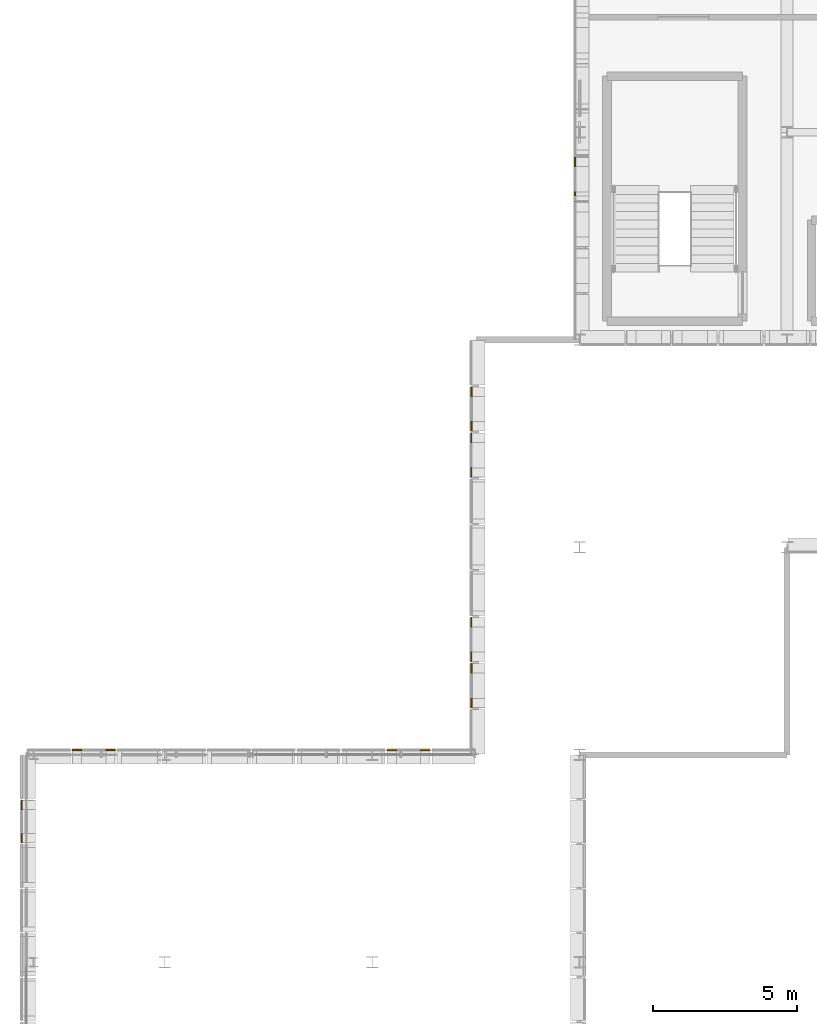
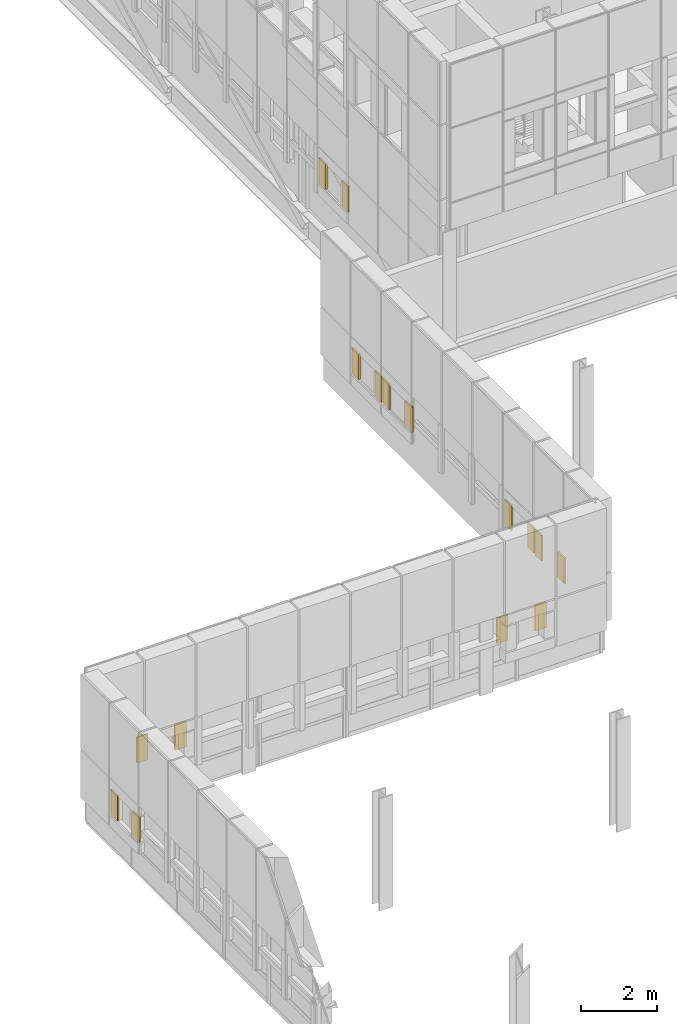
# One storey, part 94 of 96: 16 coverings.
"""IFC4 building model written with IfcOpenShell, lengths in metres."""

from ifc_helpers import new_model, si_unit, direction, frame, origin, origin_2d, place, context, subcontext, project, spatial, rectangle, extrude, material, layer, layer_set, type_object, element, save


model = new_model("IFC4")

# Units and contexts
model_context = context("Model", 3, precision=1e-05, world=origin(), true_north=direction((0.0, 1.0)))
body_context = subcontext(model_context, "Body", "Model", "MODEL_VIEW")
ifc_project = project(units=[si_unit("LENGTHUNIT", "METRE"), si_unit("AREAUNIT", "SQUARE_METRE"), si_unit("VOLUMEUNIT", "CUBIC_METRE"), si_unit("PLANEANGLEUNIT", "RADIAN"), si_unit("MASSUNIT", "GRAM", prefix="KILO")], contexts=[model_context])

# Site, building, storey
site_placement = place(None, origin())
site = spatial("IfcSite", under=ifc_project, at=site_placement, CompositionType="ELEMENT")
building_placement = place(site_placement, origin())
building = spatial("IfcBuilding", under=site, at=building_placement, Name="Yarey Park Central Fire Station", CompositionType="ELEMENT")
storey_placement = place(building_placement, frame((0.0, 0.0, 14.39990234375)))
storey = spatial("IfcBuildingStorey", under=building, at=storey_placement, Name="L04", CompositionType="ELEMENT", Elevation=14.39990234375)

# Coverings
ifc_material = material(Name="Perforated Powder-Coated Aluminium Cladding", Category="aluminium")
ifc_layer_1 = layer(ifc_material, 0.0419921875)
ifc_layer_set_1 = layer_set([ifc_layer_1], Name="Perforated Powder-Coated Aluminium Cladding")
covering_type_1 = type_object("IfcCoveringType", Name="ENV_COV_PERF_1", PredefinedType="CLADDING", material=ifc_layer_set_1)
for number, where, z_axis, x_axis, name in (
    (1, (9.43994140625, 40.314208984375, 1.22509765625), (0.0, 0.0, 1.0), (0.0, 1.0, 0.0), "PERF_L04_0095"),
    (2, (9.43994140625, 41.45703125, 1.22509765625), (0.0, 0.0, 1.0), (0.0, 1.0, 0.0), "PERF_L04_0096"),
    (3, (22.280029296875, 43.360107421875, 1.22509765625), (0.0, 0.0, 1.0), (1.0, 0.0, 0.0), "PERF_L04_0257"),
    (4, (23.43994140625, 43.360107421875, 1.22509765625), (0.0, 0.0, 1.0), (1.0, 0.0, 0.0), "PERF_L04_0258"),
    (5, (25.0400390625, 46.60009765625, 1.22509765625), (0.0, 0.0, 1.0), (0.0, 1.0, 0.0), "PERF_L04_0550"),
    (6, (25.0400390625, 47.800048828125, 1.22509765625), (0.0, 0.0, 1.0), (0.0, 1.0, 0.0), "PERF_L04_0551"),
    (7, (25.0400390625, 53.0, 1.22509765625), (0.0, 0.0, 1.0), (0.0, 1.0, 0.0), "PERF_L04_0582"),
    (8, (25.0400390625, 54.199951171875, 1.22509765625), (0.0, 0.0, 1.0), (0.0, 1.0, 0.0), "PERF_L04_0583"),
):
    element("IfcCovering", number, at=place(storey_placement, frame(where, z_axis=z_axis, x_axis=x_axis)), inside=storey, type_object=covering_type_1, Name=name, PredefinedType="CLADDING", context=body_context, shape_type="SweptSolid", body=[
        extrude(rectangle(XDim=0.340087890625, YDim=0.0419921875, at=origin_2d()), origin(), (0.0, 0.0, 1.0), 0.820068359375),
    ])
ifc_layer_2 = layer(ifc_material, 0.053955078125)
ifc_layer_set_2 = layer_set([ifc_layer_2], Name="Perforated Powder-Coated Aluminium Cladding")
covering_type_2 = type_object("IfcCoveringType", Name="ENV_COV_PERF_2", PredefinedType="CLADDING", material=ifc_layer_set_2)
for number, where, z_axis, x_axis, name in (
    (9, (11.360107421875, 43.360107421875, 1.22509765625), (0.0, 0.0, 1.0), (1.0, 0.0, 0.0), "PERF_L04_0204"),
    (10, (12.52001953125, 43.360107421875, 1.22509765625), (0.0, 0.0, 1.0), (1.0, 0.0, 0.0), "PERF_L04_0205"),
    (11, (25.0400390625, 45.0, 1.22509765625), (0.0, 0.0, 1.0), (0.0, 1.0, 0.0), "PERF_L04_0539"),
    (12, (25.0400390625, 46.199951171875, 1.22509765625), (0.0, 0.0, 1.0), (0.0, 1.0, 0.0), "PERF_L04_0540"),
    (13, (25.0400390625, 54.60009765625, 1.22509765625), (0.0, 0.0, 1.0), (0.0, 1.0, 0.0), "PERF_L04_0593"),
    (14, (25.0400390625, 55.800048828125, 1.22509765625), (0.0, 0.0, 1.0), (0.0, 1.0, 0.0), "PERF_L04_0594"),
    (15, (28.639892578125, 62.576904296875, 1.22509765625), (0.0, 0.0, 1.0), (0.0, 1.0, 0.0), "PERF_L04_0624"),
    (16, (28.639892578125, 63.769287109375, 1.22509765625), (0.0, 0.0, 1.0), (0.0, 1.0, 0.0), "PERF_L04_0625"),
):
    element("IfcCovering", number, at=place(storey_placement, frame(where, z_axis=z_axis, x_axis=x_axis)), inside=storey, type_object=covering_type_2, Name=name, PredefinedType="CLADDING", context=body_context, shape_type="SweptSolid", body=[
        extrude(rectangle(XDim=0.340087890625, YDim=0.053955078125, at=origin_2d()), origin(), (0.0, 0.0, 1.0), 0.820068359375),
    ])

save(model, "model.ifc")
